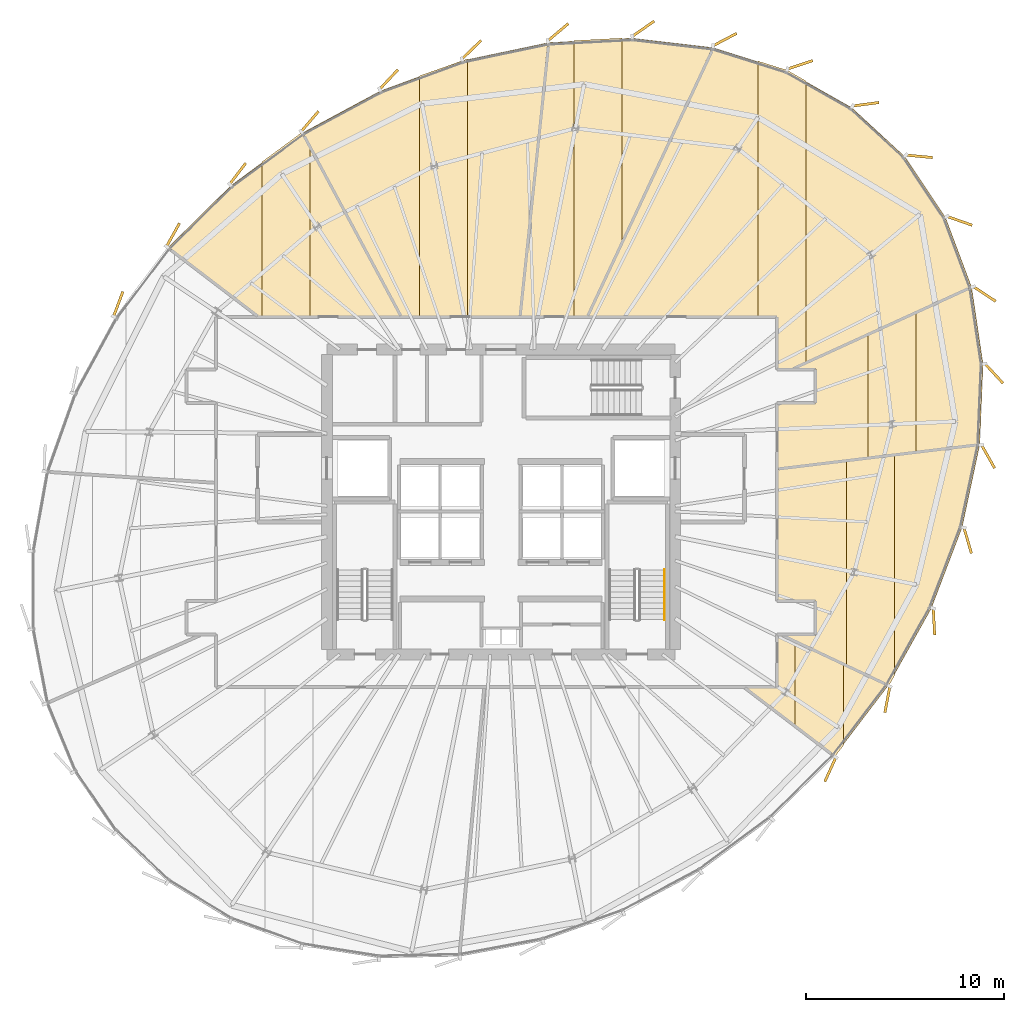
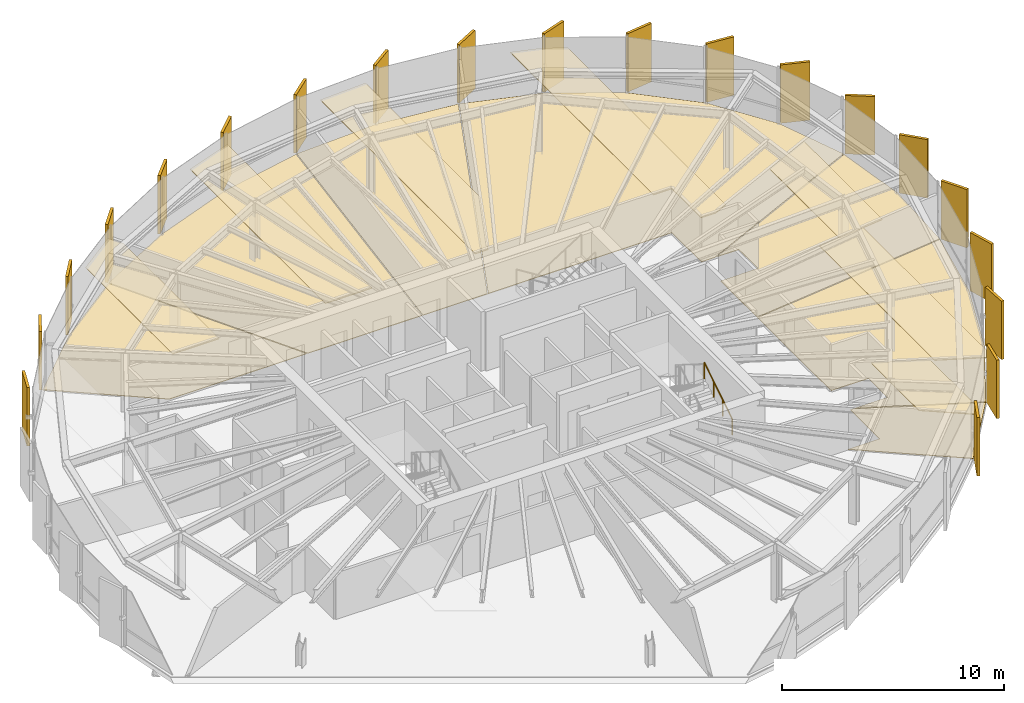
# One storey, part 36 of 36: 34 coverings, 1 railing.
"""IFC4 building model written with IfcOpenShell, lengths in metres."""

from ifc_helpers import new_model, si_unit, direction, frame, origin, origin_2d, place, context, subcontext, project, spatial, polyline, rectangle, circle, outline, extrude, source, transform, mapped, material, layer, layer_set, type_object, element, save


model = new_model("IFC4")

# Units and contexts
model_context = context("Model", 3, precision=1e-05, world=origin(), true_north=direction((0.0, 1.0)))
body_context = subcontext(model_context, "Body", "Model", "MODEL_VIEW")
ifc_project = project(units=[si_unit("LENGTHUNIT", "METRE"), si_unit("AREAUNIT", "SQUARE_METRE"), si_unit("VOLUMEUNIT", "CUBIC_METRE"), si_unit("PLANEANGLEUNIT", "RADIAN"), si_unit("MASSUNIT", "GRAM", prefix="KILO"), si_unit("THERMODYNAMICTEMPERATUREUNIT", "KELVIN")], contexts=[model_context])

# Site, building, storey
site_placement = place(None, origin())
site = spatial("IfcSite", under=ifc_project, at=site_placement, CompositionType="ELEMENT")
building_placement = place(site_placement, origin())
building = spatial("IfcBuilding", under=site, at=building_placement, Name="Kethvar Cultural Tower", CompositionType="ELEMENT")
storey_placement = place(building_placement, frame((0.0, 0.0, 197.39990234375)))
storey = spatial("IfcBuildingStorey", under=building, at=storey_placement, Name="L51", CompositionType="ELEMENT", Elevation=197.39990234375)

# Coverings
ifc_material_1 = material(Name="Acoustic Mineral Fibre Ceiling")
ifc_layer_1 = layer(ifc_material_1, 0.0400390625, Name="Acoustic Mineral Fibre Ceiling")
ifc_layer_set_1 = layer_set([ifc_layer_1], Name="Acoustic Mineral Fibre Ceiling (40 mm)")
covering_type_1 = type_object("IfcCoveringType", Name="CV-ACOUSTIC-CEIL", PredefinedType="CEILING", material=ifc_layer_set_1)
covering_1_placement = place(storey_placement, frame((0.0, 0.0, 2.4501953125)))
element("IfcCovering", 1, at=covering_1_placement, inside=storey, type_object=covering_type_1, Name="L51 Room 03 Acoustic Ceiling Panel", PredefinedType="CEILING", context=body_context, shape_type="SweptSolid", body=[
    extrude(outline(polyline([(63.671875, 14.934814453125), (61.6640625, 16.44287109375), (61.6640625, 20.776611328125), (64.093994140625, 19.624755859375), (64.093994140625, 15.489013671875), (63.671875, 14.934814453125)])), origin(), (0.0, 0.0, 1.0), 0.039794921875),
])
covering_2_placement = place(storey_placement, frame((0.0, 0.0, 2.4501953125)))
element("IfcCovering", 2, at=covering_2_placement, inside=storey, type_object=covering_type_1, Name="L51 Room 04 Acoustic Ceiling Panel", PredefinedType="CEILING", context=body_context, shape_type="SweptSolid", body=[
    extrude(outline(polyline([(66.395263671875, 18.510498046875), (64.253173828125, 19.505126953125), (64.253173828125, 29.900634765625), (66.68310546875, 30.1904296875), (66.68310546875, 19.0263671875), (66.395263671875, 18.510498046875)])), origin(), (0.0, 0.0, 1.0), 0.039794921875),
])
covering_3_placement = place(storey_placement, frame((0.0, 0.0, 2.4501953125)))
element("IfcCovering", 3, at=covering_3_placement, inside=storey, type_object=covering_type_1, Name="L51 Room 05 Acoustic Ceiling Panel", PredefinedType="CEILING", context=body_context, shape_type="SweptSolid", body=[
    extrude(outline(polyline([(65.33837890625, 29.98974609375), (65.33837890625, 36.281982421875), (67.768310546875, 37.39111328125), (67.768310546875, 30.279296875), (65.33837890625, 29.98974609375)])), origin(), (0.0, 0.0, 1.0), 0.039794921875),
])
covering_4_placement = place(storey_placement, frame((0.0, 0.0, 2.4501953125)))
element("IfcCovering", 4, at=covering_4_placement, inside=storey, type_object=covering_type_1, Name="L51 Room 06 Acoustic Ceiling Panel", PredefinedType="CEILING", context=body_context, shape_type="SweptSolid", body=[
    extrude(outline(polyline([(61.489990234375, 34.481689453125), (60.73095703125, 34.494140625), (60.72998046875, 37.1298828125), (59.782470703125, 37.1298828125), (59.782470703125, 50.083740234375), (61.2548828125, 49.62060546875), (62.21240234375, 49.077880859375), (62.21240234375, 34.8115234375), (61.489990234375, 34.481689453125)])), origin(), (0.0, 0.0, 1.0), 0.039794921875),
])
covering_5_placement = place(storey_placement, frame((0.0, 0.0, 2.4501953125)))
element("IfcCovering", 5, at=covering_5_placement, inside=storey, type_object=covering_type_1, Name="L51 Room 07 Acoustic Ceiling Panel", PredefinedType="CEILING", context=body_context, shape_type="SweptSolid", body=[
    extrude(outline(polyline([(51.174560546875, 37.1416015625), (50.48486328125, 37.1298828125), (50.48486328125, 51.1171875), (52.914794921875, 51.24560546875), (52.914794921875, 40.876708984375), (51.174560546875, 37.1416015625)])), origin(), (0.0, 0.0, 1.0), 0.039794921875),
])
covering_6_placement = place(storey_placement, frame((0.0, 0.0, 2.4501953125)))
element("IfcCovering", 6, at=covering_6_placement, inside=storey, type_object=covering_type_1, Name="L51 Room 08 Acoustic Ceiling Panel", PredefinedType="CEILING", context=body_context, shape_type="SweptSolid", body=[
    extrude(outline(polyline([(42.673583984375, 49.3359375), (45.103759765625, 50.193603515625), (45.103759765625, 37.1298828125), (42.673583984375, 37.1298828125), (42.673583984375, 49.3359375)])), origin(), (0.0, 0.0, 1.0), 0.039794921875),
])
covering_7_placement = place(storey_placement, frame((0.0, 0.0, 2.4501953125)))
element("IfcCovering", 7, at=covering_7_placement, inside=storey, type_object=covering_type_1, Name="L51 Room 09 Acoustic Ceiling Panel", PredefinedType="CEILING", context=body_context, shape_type="SweptSolid", body=[
    extrude(outline(polyline([(36.731689453125, 46.476318359375), (37.1484375, 45.751220703125), (37.1484375, 37.1298828125), (34.718505859375, 37.1298828125), (34.718505859375, 44.9912109375), (36.731689453125, 46.476318359375)])), origin(), (0.0, 0.0, 1.0), 0.039794921875),
])
ifc_material_2 = material(Name="Honed Warm Limestone", Category="masonry")
ifc_layer_2 = layer(ifc_material_2, 0.030029296875, Name="Honed Warm Limestone", Category="masonry")
ifc_layer_set_2 = layer_set([ifc_layer_2], Name="Honed Warm Limestone (30 mm)")
covering_type_2 = type_object("IfcCoveringType", Name="CV-STONE-FLOOR", PredefinedType="FLOORING", material=ifc_layer_set_2)
covering_8_placement = place(storey_placement, origin())
element("IfcCovering", 8, at=covering_8_placement, inside=storey, type_object=covering_type_2, Name="L51 Room 03 Floor Finish", PredefinedType="FLOORING", context=body_context, shape_type="SweptSolid", body=[
    extrude(outline(polyline([(63.6533203125, 14.976318359375), (59.123291015625, 18.429931640625), (60.7666015625, 18.43896484375), (60.77001953125, 21.080078125), (60.9306640625, 21.080078125), (66.3466796875, 18.5126953125), (63.6533203125, 14.976318359375)])), origin(), (0.0, 0.0, 1.0), 0.030029296875),
])
covering_9_placement = place(storey_placement, origin())
element("IfcCovering", 9, at=covering_9_placement, inside=storey, type_object=covering_type_2, Name="L51 Room 04 Floor Finish", PredefinedType="FLOORING", context=body_context, shape_type="SweptSolid", body=[
    extrude(outline(polyline([(70.095458984375, 26.522216796875), (68.534912109375, 22.425048828125), (66.369384765625, 18.54638671875), (61.02392578125, 21.080078125), (62.714111328125, 21.0859375), (62.719970703125, 22.800048828125), (60.77001953125, 22.820068359375), (60.77001953125, 29.445068359375), (70.976806640625, 30.661865234375), (70.095458984375, 26.522216796875)])), origin(), (0.0, 0.0, 1.0), 0.030029296875),
])
covering_10_placement = place(storey_placement, origin())
element("IfcCovering", 10, at=covering_10_placement, inside=storey, type_object=covering_type_2, Name="L51 Room 05 Floor Finish", PredefinedType="FLOORING", context=body_context, shape_type="SweptSolid", body=[
    extrude(outline(polyline([(71.150634765625, 34.77880859375), (70.98291015625, 30.702880859375), (60.77001953125, 29.4853515625), (60.77001953125, 32.780029296875), (62.719482421875, 32.796142578125), (62.716552734375, 34.510986328125), (61.573486328125, 34.52001953125), (70.577880859375, 38.629150390625), (71.150634765625, 34.77880859375)])), origin(), (0.0, 0.0, 1.0), 0.030029296875),
])
covering_11_placement = place(storey_placement, origin())
element("IfcCovering", 11, at=covering_11_placement, inside=storey, type_object=covering_type_2, Name="L51 Room 06 Floor Finish", PredefinedType="FLOORING", context=body_context, shape_type="SweptSolid", body=[
    extrude(outline(polyline([(70.568603515625, 38.668701171875), (61.477294921875, 34.52001953125), (60.77001953125, 34.52001953125), (60.755859375, 37.169189453125), (51.187744140625, 37.169921875), (57.51708984375, 50.75439453125), (61.239013671875, 49.583984375), (64.51318359375, 47.727294921875), (67.21337890625, 45.234619140625), (69.2529296875, 42.177978515625), (70.568603515625, 38.668701171875)])), origin(), (0.0, 0.0, 1.0), 0.030029296875),
])
covering_12_placement = place(storey_placement, origin())
element("IfcCovering", 12, at=covering_12_placement, inside=storey, type_object=covering_type_2, Name="L51 Room 07 Floor Finish", PredefinedType="FLOORING", context=body_context, shape_type="SweptSolid", body=[
    extrude(outline(polyline([(53.43505859375, 51.23291015625), (57.4765625, 50.761962890625), (51.143798828125, 37.169921875), (47.780029296875, 37.169921875), (49.19775390625, 51.00927734375), (53.43505859375, 51.23291015625)])), origin(), (0.0, 0.0, 1.0), 0.030029296875),
])
covering_13_placement = place(storey_placement, origin())
element("IfcCovering", 13, at=covering_13_placement, inside=storey, type_object=covering_type_2, Name="L51 Room 08 Floor Finish", PredefinedType="FLOORING", context=body_context, shape_type="SweptSolid", body=[
    extrude(outline(polyline([(40.705322265625, 48.570068359375), (44.89111328125, 50.108154296875), (49.156982421875, 51.003173828125), (47.73974609375, 37.169921875), (41.77294921875, 37.169921875), (36.770751953125, 46.451904296875), (40.705322265625, 48.570068359375)])), origin(), (0.0, 0.0, 1.0), 0.030029296875),
])
covering_14_placement = place(storey_placement, origin())
element("IfcCovering", 14, at=covering_14_placement, inside=storey, type_object=covering_type_2, Name="L51 Room 09 Floor Finish", PredefinedType="FLOORING", context=body_context, shape_type="SweptSolid", body=[
    extrude(outline(polyline([(33.148681640625, 43.78369140625), (36.73681640625, 46.430419921875), (41.7275390625, 37.169921875), (34.560302734375, 37.169921875), (29.984619140625, 40.663330078125), (33.148681640625, 43.78369140625)])), origin(), (0.0, 0.0, 1.0), 0.030029296875),
])

# Railing
ifc_material_3 = material(Name="Steel S355J2", Category="steel")
railing_type = type_object("IfcRailingType", Name="RL-STAIR-HANDRAIL", PredefinedType="HANDRAIL", material=ifc_material_3)
railing_placement = place(storey_placement, frame((55.06005859375, 21.85009765625, 0.175048828125)))
element("IfcRailing", 15, at=railing_placement, inside=storey, type_object=railing_type, Name="L51 ST-02 stair handrail 1", PredefinedType="HANDRAIL", context=body_context, shape_type="SweptSolid", body=[
    extrude(circle(Radius=0.02392578125, at=origin_2d()), frame((0.0, 0.0, 0.8759765625), z_axis=(0.0, 0.848007534815, 0.529984170421), x_axis=(-1.0, 0.0, 0.0)), (0.0, 0.0, 1.0), 2.9716796875),
    extrude(circle(Radius=0.02099609375, at=origin_2d()), origin(), (0.0, 0.0, 1.0), 0.851806640625),
    extrude(circle(Radius=0.02099609375, at=origin_2d()), frame((0.0, 0.840087890625, 0.52490234375)), (0.0, 0.0, 1.0), 0.851806640625),
    extrude(circle(Radius=0.02099609375, at=origin_2d()), frame((0.0, 1.679931640625, 1.050048828125)), (0.0, 0.0, 1.0), 0.851806640625),
    extrude(circle(Radius=0.02099609375, at=origin_2d()), frame((0.0, 2.52001953125, 1.574951171875)), (0.0, 0.0, 1.0), 0.851806640625),
])

# Coverings
ifc_material_4 = material(Name="Extruded Architectural Terracotta", Category="masonry")
ifc_layer_3 = layer(ifc_material_4, 0.135009765625, Name="Extruded Architectural Terracotta", Category="masonry")
ifc_layer_set_3 = layer_set([ifc_layer_3], Name="Extruded Architectural Terracotta (135 mm)")
covering_type_3 = type_object("IfcCoveringType", Name="Terracotta Facade Fin FIN-03", PredefinedType="CLADDING", material=ifc_layer_set_3)
shared_shape = source(origin(), body_context, "Body", "SweptSolid", [
    extrude(rectangle(XDim=1.35009765625, YDim=0.135009765625, at=origin_2d()), origin(), (0.0, 0.0, 1.0), 3.219970703125),
])
for number, where, z_axis, x_axis, name in (
    (16, (67.926513671875, 45.270263671875, 0.02001953125), (0.0, 0.0, 1.0), (0.995659968702, -0.093065711857, 0.0), "L51 Vertical Terracotta Fin 1.1"),
    (17, (65.23388671875, 47.9013671875, 0.02001953125), (0.0, 0.0, 1.0), (0.991422065155, 0.130699230003, 0.0), "L51 Vertical Terracotta Fin 1.2"),
    (18, (61.910400390625, 49.894287109375, 0.02001953125), (0.0, 0.0, 1.0), (0.947601273395, 0.319455515932, 0.0), "L51 Vertical Terracotta Fin 1.3"),
    (19, (58.113037109375, 51.172119140625, 0.02001953125), (0.0, 0.0, 1.0), (0.885231311332, 0.465151078077, 0.0), "L51 Vertical Terracotta Fin 1.4"),
    (20, (53.985595703125, 51.718505859375, 0.02001953125), (0.0, 0.0, 1.0), (0.820949942494, 0.571000168056, 0.0), "L51 Vertical Terracotta Fin 1.5"),
    (21, (49.67919921875, 51.541748046875, 0.02001953125), (0.0, 0.0, 1.0), (0.764584033736, 0.644524053357, 0.0), "L51 Vertical Terracotta Fin 1.6"),
    (22, (45.3076171875, 50.657470703125, 0.02001953125), (0.0, 0.0, 1.0), (0.720187948577, 0.693779012888, 0.0), "L51 Vertical Terracotta Fin 2.1"),
    (23, (41.120849609375, 49.151123046875, 0.02001953125), (0.0, 0.0, 1.0), (0.684165325029, 0.729326955506, 0.0), "L51 Vertical Terracotta Fin 2.2"),
    (24, (37.135986328125, 47.03662109375, 0.02001953125), (0.0, 0.0, 1.0), (0.651568967347, 0.758589401976, 0.0), "L51 Vertical Terracotta Fin 2.3"),
    (25, (33.4892578125, 44.392333984375, 0.02001953125), (0.0, 0.0, 1.0), (0.607237178966, 0.794520615517, 0.0), "L51 Vertical Terracotta Fin 2.4"),
    (26, (30.21875, 41.29931640625, 0.02001953125), (0.0, 0.0, 1.0), (0.486487875037, 0.873687328191, 0.0), "L51 Vertical Terracotta Fin 2.5"),
    (27, (27.45166015625, 37.80322265625, 0.02001953125), (0.0, 0.0, 1.0), (0.351514880558, 0.936182294613, 0.0), "L51 Vertical Terracotta Fin 2.6"),
    (28, (63.442138671875, 14.28515625, 0.02001953125), (0.0, 0.0, 1.0), (-0.41294547925, -0.91075574726, 0.0), "L51 Vertical Terracotta Fin 5.5"),
    (29, (66.32275390625, 17.81787109375, 0.02001953125), (0.0, 0.0, 1.0), (-0.184980577053, -0.982742176826, 0.0), "L51 Vertical Terracotta Fin 5.6"),
    (30, (68.677001953125, 21.75048828125, 0.02001953125), (0.0, 0.0, 1.0), (0.051987365594, -0.998647742609, 0.0), "L51 Vertical Terracotta Fin 6.1"),
    (31, (70.381591796875, 25.851806640625, 0.02001953125), (0.0, 0.0, 1.0), (0.27966144946, -0.96009867914, 0.0), "L51 Vertical Terracotta Fin 6.2"),
    (32, (71.413818359375, 30.093994140625, 0.02001953125), (0.0, 0.0, 1.0), (0.491359852787, -0.870956655104, 0.0), "L51 Vertical Terracotta Fin 6.3"),
    (33, (71.70849609375, 34.29638671875, 0.02001953125), (0.0, 0.0, 1.0), (0.679697382902, -0.73349265005, 0.0), "L51 Vertical Terracotta Fin 6.4"),
    (34, (71.232421875, 38.315185546875, 0.02001953125), (0.0, 0.0, 1.0), (0.835135979853, -0.550043539327, 0.0), "L51 Vertical Terracotta Fin 6.5"),
    (35, (69.974609375, 42.00927734375, 0.02001953125), (0.0, 0.0, 1.0), (0.944204046619, -0.329361075947, 0.0), "L51 Vertical Terracotta Fin 6.6"),
):
    element("IfcCovering", number, at=place(storey_placement, frame(where, z_axis=z_axis, x_axis=x_axis)), inside=storey, type_object=covering_type_3, Name=name, PredefinedType="CLADDING", context=body_context, shape_type="MappedRepresentation", body=[
        mapped(shared_shape, transform((0.0, 0.0, 0.0), scale=1.0)),
    ])

save(model, "model.ifc")
